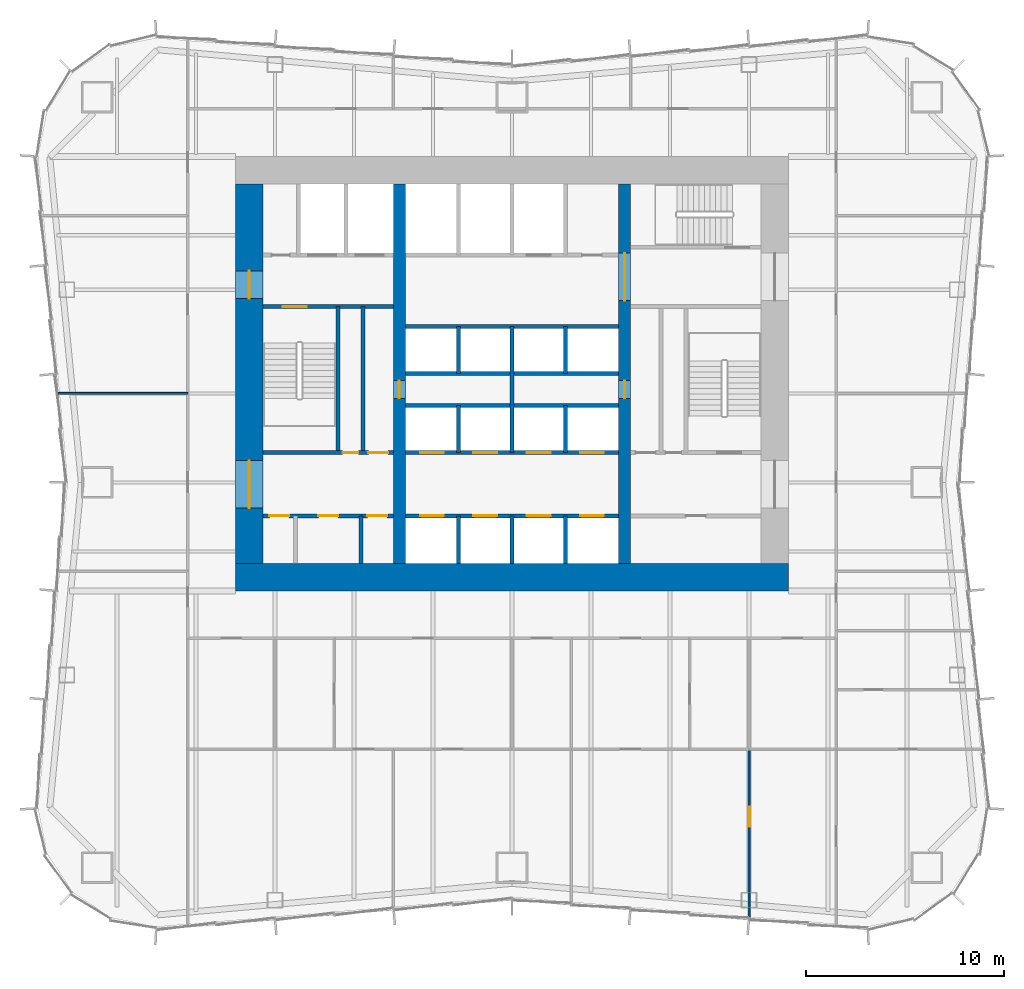
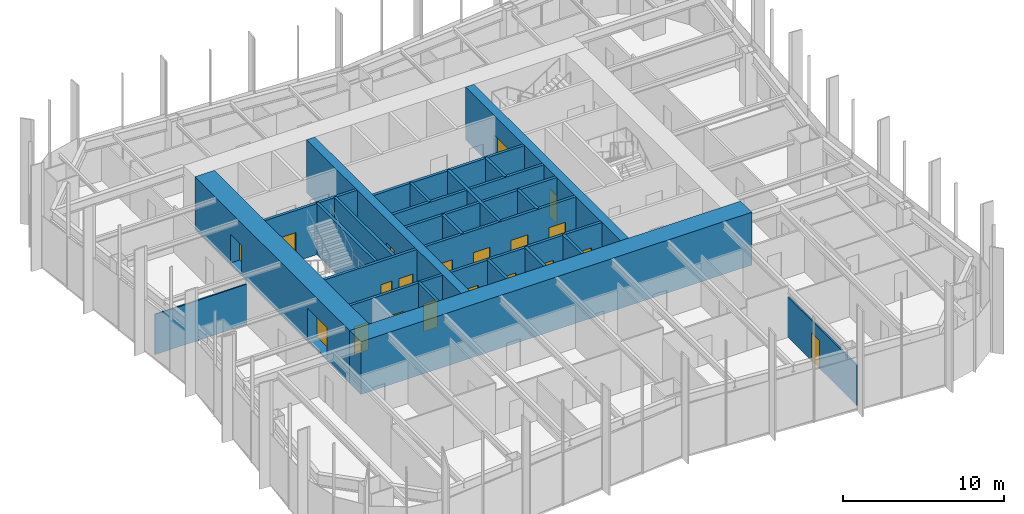
# One storey, part 10 of 13: 25 walls, 20 doors, 20 openings.
"""IFC4 building model written with IfcOpenShell, lengths in metres."""

import ifcopenshell
import ifcopenshell.guid

model = None  # the IFC model being written
_history = None  # IfcOwnerHistory: only IFC2X3 demands one
_inside = {}  # id of a spatial element -> (the spatial element, [elements in it])
_under = {}  # id of a project, library or spatial element -> (it, [spatial elements below it])
_declared = {}  # id of a project -> (the project, [libraries it declares])
_typed = {}  # id of a type object -> (the type object, [elements of that type])
_made_of = {}  # id of a material, layer set ... -> (it, [elements and type objects made of it])


def new_model(schema):
    """Start an empty IFC model of exactly this schema.

    Asked for "IFC4X3", IfcOpenShell would pick the latest addendum, in which some entities
    have other attributes; the version numbers below select the first issue.
    IFC2X3 requires an IfcOwnerHistory on every rooted entity: one is made here for all.
    """
    global model, _history
    if schema == "IFC4X3":
        model = ifcopenshell.file(schema_version=(4, 3, 0, 0))
    else:
        model = ifcopenshell.file(schema=schema)
    _inside.clear()
    _under.clear()
    _declared.clear()
    _typed.clear()
    _made_of.clear()
    _history = None
    if model.schema == "IFC2X3":
        org = make("IfcOrganization", Name="unknown")
        user = make(
            "IfcPersonAndOrganization",
            ThePerson=make("IfcPerson", FamilyName="unknown"),
            TheOrganization=org,
        )
        app = make(
            "IfcApplication",
            ApplicationDeveloper=org,
            Version="unknown",
            ApplicationFullName="unknown",
            ApplicationIdentifier="unknown",
        )
        _history = make(
            "IfcOwnerHistory",
            OwningUser=user,
            OwningApplication=app,
            ChangeAction="ADDED",
            CreationDate=0,
        )
    return model


def make(cls, **values):
    """One entity of the class cls with the attributes given. An attribute that is None is left unset."""
    return model.create_entity(
        cls, **{name: value for name, value in values.items() if value is not None}
    )


def rooted(cls, **values):
    """An entity with a GlobalId (a new one), such as an element, a storey or a relation."""
    return make(cls, GlobalId=ifcopenshell.guid.new(), OwnerHistory=_history, **values)


def si_unit(unit_type, name, prefix=None):
    """IfcSIUnit, for example si_unit("LENGTHUNIT", "METRE", prefix="MILLI")."""
    return make("IfcSIUnit", UnitType=unit_type, Prefix=prefix, Name=name)


def assignment(units):
    """IfcUnitAssignment: the units of a project."""
    return None if units is None else make("IfcUnitAssignment", Units=units)


def point(xyz):
    """IfcCartesianPoint."""
    return None if xyz is None else make("IfcCartesianPoint", Coordinates=xyz)


def direction(xyz):
    """IfcDirection."""
    return None if xyz is None else make("IfcDirection", DirectionRatios=xyz)


def frame(location, z_axis=None, x_axis=None):
    """IfcAxis2Placement3D, a coordinate frame: its origin and axes. An axis left out is left unset."""
    return make(
        "IfcAxis2Placement3D",
        Location=point(location),
        Axis=direction(z_axis),
        RefDirection=direction(x_axis),
    )


def frame_2d(location, x_axis=None):
    """IfcAxis2Placement2D, a coordinate frame in the plane: its origin and x axis."""
    return make(
        "IfcAxis2Placement2D", Location=point(location), RefDirection=direction(x_axis)
    )


def origin():
    """The frame at (0, 0, 0) with its axes left unset."""
    return frame((0.0, 0.0, 0.0))


def place(relative_to, where):
    """IfcLocalPlacement: puts the frame where relative to a parent placement (None: the world)."""
    return make(
        "IfcLocalPlacement", PlacementRelTo=relative_to, RelativePlacement=where
    )


def context(
    kind, dimensions, precision=None, world=None, true_north=None, identifier=None
):
    """IfcGeometricRepresentationContext, for example the 3D "Model" context."""
    return make(
        "IfcGeometricRepresentationContext",
        ContextIdentifier=identifier,
        ContextType=kind,
        CoordinateSpaceDimension=dimensions,
        Precision=precision,
        WorldCoordinateSystem=world,
        TrueNorth=true_north,
    )


def subcontext(parent, identifier, kind, view, scale=None):
    """IfcGeometricRepresentationSubContext, for example "Body" below "Model"."""
    return make(
        "IfcGeometricRepresentationSubContext",
        ContextIdentifier=identifier,
        ContextType=kind,
        ParentContext=parent,
        TargetScale=scale,
        TargetView=view,
    )


def project(units=None, contexts=None):
    """IfcProject with its units and contexts."""
    return rooted(
        "IfcProject",
        Name="project",
        RepresentationContexts=contexts,
        UnitsInContext=assignment(units),
    )


def spatial(cls, under=None, at=None, **own):
    """A site, building, storey or space (cls), placed at a placement, below another one or the project."""
    s = rooted(cls, ObjectPlacement=at, **own)
    if under is not None:
        _under.setdefault(under.id(), (under, []))[1].append(s)
    return s


def profile(cls, at=None, kind="AREA", **sizes):
    """A parametric profile (cls). Its sizes go by their IFC names, for example OverallWidth=200.0."""
    return make(cls, ProfileType=kind, Position=at, **sizes)


def rectangle(**sizes):
    """IfcRectangleProfileDef."""
    return profile("IfcRectangleProfileDef", **sizes)


def extrude(swept, where, along, depth):
    """IfcExtrudedAreaSolid: the profile swept, set in the frame where, extruded along a direction by depth."""
    return make(
        "IfcExtrudedAreaSolid",
        SweptArea=swept,
        Position=where,
        ExtrudedDirection=direction(along),
        Depth=depth,
    )


def shape(context_of_items, identifier, shape_type, items):
    """IfcShapeRepresentation: the items that make up one representation, for example the "Body"."""
    return make(
        "IfcShapeRepresentation",
        ContextOfItems=context_of_items,
        RepresentationIdentifier=identifier,
        RepresentationType=shape_type,
        Items=items,
    )


def material(Name=None, Category=None):
    """IfcMaterial."""
    return make("IfcMaterial", Name=Name, Category=Category)


def layer(
    of_material, thickness, ventilated=None, Name=None, Category=None, Priority=None
):
    """IfcMaterialLayer: one layer of a wall or slab, of a material (None: an air gap)."""
    return make(
        "IfcMaterialLayer",
        Material=of_material,
        LayerThickness=thickness,
        IsVentilated=ventilated,
        Name=Name,
        Category=Category,
        Priority=Priority,
    )


def layer_set(layers, Name=None):
    """IfcMaterialLayerSet."""
    return make("IfcMaterialLayerSet", MaterialLayers=layers, LayerSetName=Name)


def made_of(thing, what):
    """Note that an element or type object is made of a material, layer set ...; save() writes the relation."""
    if what is not None:
        _made_of.setdefault(what.id(), (what, []))[1].append(thing)
    return thing


def type_object(cls, material=None, **own):
    """A type object (cls), such as IfcWallType, which elements share."""
    return made_of(rooted(cls, **own), material)


def element(
    cls,
    number,
    at=None,
    inside=None,
    cuts=None,
    type_object=None,
    material=None,
    context=None,
    identifier="Body",
    shape_type=None,
    held_by="IfcProductDefinitionShape",
    body=None,
    shapes=None,
    **own,
):
    """One element of the class cls, such as IfcWall. Its Tag is "e" and its number.

    at: its placement. inside: the storey or other place that contains it. cuts: it is an
    opening in that element (IfcRelVoidsElement). A single representation is given by context,
    identifier, shape_type and body (its items); several are given by shapes. held_by: the class
    of the entity that holds the representations. save() writes the other relations.
    """
    e = rooted(cls, Tag="e%d" % number, ObjectPlacement=at, **own)
    if body is not None:
        shapes = [shape(context, identifier, shape_type, body)]
    if shapes is not None:
        e.Representation = make(held_by, Representations=shapes)
    if inside is not None:
        _inside.setdefault(inside.id(), (inside, []))[1].append(e)
    if cuts is not None:
        rooted(
            "IfcRelVoidsElement", RelatingBuildingElement=cuts, RelatedOpeningElement=e
        )
    if type_object is not None:
        _typed.setdefault(type_object.id(), (type_object, []))[1].append(e)
    return made_of(e, material)


def fill(opening, filler):
    """IfcRelFillsElement: the door or window that sits in an opening."""
    return rooted(
        "IfcRelFillsElement",
        RelatingOpeningElement=opening,
        RelatedBuildingElement=filler,
    )


def aggregate(whole, parts):
    """IfcRelAggregates: a whole, such as a stair, and the parts it consists of."""
    return rooted("IfcRelAggregates", RelatingObject=whole, RelatedObjects=parts)


def save(model, path):
    """Write the relations noted so far, then the file.

    IfcRelAggregates (storeys below a building ...), IfcRelContainedInSpatialStructure (elements
    in a storey), IfcRelDefinesByType, IfcRelAssociatesMaterial and IfcRelDeclares: one each for
    every whole, place, type object, material and project.
    """
    for whole, parts in _under.values():
        aggregate(whole, parts)
    for where, things in _inside.values():
        rooted(
            "IfcRelContainedInSpatialStructure",
            RelatedElements=things,
            RelatingStructure=where,
        )
    for kind, things in _typed.values():
        rooted("IfcRelDefinesByType", RelatedObjects=things, RelatingType=kind)
    for what, things in _made_of.values():
        rooted("IfcRelAssociatesMaterial", RelatedObjects=things, RelatingMaterial=what)
    for by, libraries in _declared.values():
        rooted("IfcRelDeclares", RelatingContext=by, RelatedDefinitions=libraries)
    model.write(path)


model = new_model("IFC4")

# Units and contexts
model_context = context("Model", 3, precision=1e-05, world=origin(), true_north=direction((0.0, 1.0)))
body_context = subcontext(model_context, "Body", "Model", "MODEL_VIEW")
ifc_project = project(units=[si_unit("LENGTHUNIT", "METRE"), si_unit("AREAUNIT", "SQUARE_METRE"), si_unit("VOLUMEUNIT", "CUBIC_METRE"), si_unit("PLANEANGLEUNIT", "RADIAN"), si_unit("MASSUNIT", "GRAM", prefix="KILO")], contexts=[model_context])

# Site, building, storey
site_placement = place(None, origin())
site = spatial("IfcSite", under=ifc_project, at=site_placement, CompositionType="ELEMENT")
building_placement = place(site_placement, origin())
building = spatial("IfcBuilding", under=site, at=building_placement, Name="Verdant Reach Tower", CompositionType="ELEMENT")
storey_placement = place(building_placement, frame((0.0, 0.0, 50.0)))
storey = spatial("IfcBuildingStorey", under=building, at=storey_placement, Name="L11", CompositionType="ELEMENT", Elevation=50.0)

# Wall, openings, doors
ifc_material_1 = material(Name="Gypsum board on steel studs", Category="steel")
ifc_layer_1 = layer(ifc_material_1, 0.199951171875)
ifc_layer_set_1 = layer_set([ifc_layer_1], Name="CO-WALL-ROOM")
wall_type_1 = type_object("IfcWallType", Name="CO-WALL-ROOM", PredefinedType="PARTITIONING", material=ifc_layer_set_1)
wall_1_placement = place(storey_placement, frame((-12.60009765625, 20.800048828125, 0.0), z_axis=(0.0, 0.0, 1.0), x_axis=(1.0, 0.0, 0.0)))
wall_1 = element("IfcWall", 1, at=wall_1_placement, inside=storey, type_object=wall_type_1, Name="Core partition, L11", PredefinedType="PARTITIONING", context=body_context, shape_type="SweptSolid", body=[
    extrude(rectangle(XDim=6.60009765625, YDim=0.199951171875, at=frame_2d((3.300048828125, 0.0))), origin(), (0.0, 0.0, 1.0), 3.8701171875),
])
opening_1_placement = place(wall_1_placement, frame((0.324951171875, 0.0, 0.0)))
opening_1 = element("IfcOpeningElement", 2, at=opening_1_placement, cuts=wall_1, Name="Opening CD", PredefinedType="OPENING", context=body_context, shape_type="SweptSolid", body=[
    extrude(rectangle(XDim=1.0, YDim=2.10009765625, at=frame_2d((0.5, 1.050048828125))), frame((0.0, 0.10986328125, 0.0), z_axis=(0.0, -1.0, 0.0), x_axis=(1.0, 0.0, 0.0)), (0.0, 0.0, 1.0), 0.219970703125),
])
opening_2_placement = place(wall_1_placement, frame((2.800048828125, 0.0, 0.0)))
opening_2 = element("IfcOpeningElement", 3, at=opening_2_placement, cuts=wall_1, Name="Opening CD", PredefinedType="OPENING", context=body_context, shape_type="SweptSolid", body=[
    extrude(rectangle(XDim=1.0, YDim=2.10009765625, at=frame_2d((0.5, 1.050048828125))), frame((0.0, 0.10986328125, 0.0), z_axis=(0.0, -1.0, 0.0), x_axis=(1.0, 0.0, 0.0)), (0.0, 0.0, 1.0), 0.219970703125),
])
opening_3_placement = place(wall_1_placement, frame((5.27490234375, 0.0, 0.0)))
opening_3 = element("IfcOpeningElement", 4, at=opening_3_placement, cuts=wall_1, Name="Opening CD", PredefinedType="OPENING", context=body_context, shape_type="SweptSolid", body=[
    extrude(rectangle(XDim=1.0, YDim=2.10009765625, at=frame_2d((0.5, 1.050048828125))), frame((0.0, 0.10986328125, 0.0), z_axis=(0.0, -1.0, 0.0), x_axis=(1.0, 0.0, 0.0)), (0.0, 0.0, 1.0), 0.219970703125),
])
ifc_material_2 = material(Name="Timber", Category="wood")
door_type_1 = type_object("IfcDoorType", Name="CO-DOOR-ROOM", OperationType="NOTDEFINED", PredefinedType="DOOR", material=ifc_material_2)
door_1_placement = place(opening_1_placement, origin())
door_1 = element("IfcDoor", 5, at=door_1_placement, inside=storey, type_object=door_type_1, Name="Core room door, L11", OperationType="SINGLE_SWING_RIGHT", OverallHeight=2.10009765625, OverallWidth=1.0, PredefinedType="DOOR", context=body_context, shape_type="SweptSolid", body=[
    extrude(rectangle(XDim=1.0, YDim=2.10009765625, at=frame_2d((0.5, 1.050048828125))), frame((0.0, 0.02490234375, 0.0), z_axis=(0.0, -1.0, 0.0), x_axis=(1.0, 0.0, 0.0)), (0.0, 0.0, 1.0), 0.050048828125),
])
fill(opening_1, door_1)
door_2_placement = place(opening_2_placement, origin())
door_2 = element("IfcDoor", 6, at=door_2_placement, inside=storey, type_object=door_type_1, Name="Core room door, L11", OperationType="SINGLE_SWING_RIGHT", OverallHeight=2.10009765625, OverallWidth=1.0, PredefinedType="DOOR", context=body_context, shape_type="SweptSolid", body=[
    extrude(rectangle(XDim=1.0, YDim=2.10009765625, at=frame_2d((0.5, 1.050048828125))), frame((0.0, 0.02490234375, 0.0), z_axis=(0.0, -1.0, 0.0), x_axis=(1.0, 0.0, 0.0)), (0.0, 0.0, 1.0), 0.050048828125),
])
fill(opening_2, door_2)
door_3_placement = place(opening_3_placement, origin())
door_3 = element("IfcDoor", 7, at=door_3_placement, inside=storey, type_object=door_type_1, Name="Core room door, L11", OperationType="SINGLE_SWING_RIGHT", OverallHeight=2.10009765625, OverallWidth=1.0, PredefinedType="DOOR", context=body_context, shape_type="SweptSolid", body=[
    extrude(rectangle(XDim=1.0, YDim=2.10009765625, at=frame_2d((0.5, 1.050048828125))), frame((0.0, 0.02490234375, 0.0), z_axis=(0.0, -1.0, 0.0), x_axis=(1.0, 0.0, 0.0)), (0.0, 0.0, 1.0), 0.050048828125),
])
fill(opening_3, door_3)

# Walls
wall_2_placement = place(storey_placement, frame((-7.64990234375, 18.39990234375, 0.0), z_axis=(0.0, 0.0, 1.0), x_axis=(0.0, 1.0, 0.0)))
element("IfcWall", 8, at=wall_2_placement, inside=storey, type_object=wall_type_1, Name="Core partition, L11", PredefinedType="PARTITIONING", context=body_context, shape_type="SweptSolid", body=[
    extrude(rectangle(XDim=2.400146484375, YDim=0.199951171875, at=frame_2d((1.2001953125, 0.0))), origin(), (0.0, 0.0, 1.0), 3.8701171875),
])
wall_3_placement = place(storey_placement, frame((-7.5400390625, 24.0, 0.0), z_axis=(0.0, 0.0, 1.0), x_axis=(0.0, 1.0, 0.0)))
element("IfcWall", 9, at=wall_3_placement, inside=storey, type_object=wall_type_1, Name="Core partition, L11", PredefinedType="PARTITIONING", context=body_context, shape_type="SweptSolid", body=[
    extrude(rectangle(XDim=7.39990234375, YDim=0.199951171875, at=frame_2d((3.699951171875, 0.0))), origin(), (0.0, 0.0, 1.0), 3.8701171875),
])

# Wall, openings, doors
ifc_material_3 = material(Name="Concrete C40/50", Category="concrete")
ifc_layer_2 = layer(ifc_material_3, 0.199951171875)
ifc_layer_set_2 = layer_set([ifc_layer_2], Name="CO-WALL-SHAFT")
wall_type_2 = type_object("IfcWallType", Name="CO-WALL-SHAFT", PredefinedType="PARTITIONING", material=ifc_layer_set_2)
wall_4_placement = place(storey_placement, frame((-5.39990234375, 20.800048828125, 0.0), z_axis=(0.0, 0.0, 1.0), x_axis=(1.0, 0.0, 0.0)))
wall_4 = element("IfcWall", 10, at=wall_4_placement, inside=storey, type_object=wall_type_2, Name="Lift shaft wall, L11", PredefinedType="PARTITIONING", context=body_context, shape_type="SweptSolid", body=[
    extrude(rectangle(XDim=10.7998046875, YDim=0.199951171875, at=frame_2d((5.39990234375, 0.0))), origin(), (0.0, 0.0, 1.0), 3.8701171875),
])
opening_4_placement = place(wall_4_placement, frame((0.75, 0.0, 0.0)))
opening_4 = element("IfcOpeningElement", 11, at=opening_4_placement, cuts=wall_4, Name="Opening LD-A1", PredefinedType="OPENING", context=body_context, shape_type="SweptSolid", body=[
    extrude(rectangle(XDim=1.199951171875, YDim=2.199951171875, at=frame_2d((0.60009765625, 1.10009765625))), frame((0.0, 0.10986328125, 0.0), z_axis=(0.0, -1.0, 0.0), x_axis=(1.0, 0.0, 0.0)), (0.0, 0.0, 1.0), 0.219970703125),
])
opening_5_placement = place(wall_4_placement, frame((3.449951171875, 0.0, 0.0)))
opening_5 = element("IfcOpeningElement", 12, at=opening_5_placement, cuts=wall_4, Name="Opening LD-A2", PredefinedType="OPENING", context=body_context, shape_type="SweptSolid", body=[
    extrude(rectangle(XDim=1.199951171875, YDim=2.199951171875, at=frame_2d((0.60009765625, 1.10009765625))), frame((0.0, 0.10986328125, 0.0), z_axis=(0.0, -1.0, 0.0), x_axis=(1.0, 0.0, 0.0)), (0.0, 0.0, 1.0), 0.219970703125),
])
opening_6_placement = place(wall_4_placement, frame((6.14990234375, 0.0, 0.0)))
opening_6 = element("IfcOpeningElement", 13, at=opening_6_placement, cuts=wall_4, Name="Opening LD-A3", PredefinedType="OPENING", context=body_context, shape_type="SweptSolid", body=[
    extrude(rectangle(XDim=1.199951171875, YDim=2.199951171875, at=frame_2d((0.60009765625, 1.10009765625))), frame((0.0, 0.10986328125, 0.0), z_axis=(0.0, -1.0, 0.0), x_axis=(1.0, 0.0, 0.0)), (0.0, 0.0, 1.0), 0.219970703125),
])
opening_7_placement = place(wall_4_placement, frame((8.85009765625, 0.0, 0.0)))
opening_7 = element("IfcOpeningElement", 14, at=opening_7_placement, cuts=wall_4, Name="Opening LD-A4", PredefinedType="OPENING", context=body_context, shape_type="SweptSolid", body=[
    extrude(rectangle(XDim=1.199951171875, YDim=2.199951171875, at=frame_2d((0.60009765625, 1.10009765625))), frame((0.0, 0.10986328125, 0.0), z_axis=(0.0, -1.0, 0.0), x_axis=(1.0, 0.0, 0.0)), (0.0, 0.0, 1.0), 0.219970703125),
])
ifc_material_4 = material(Name="Stainless steel", Category="steel")
door_type_2 = type_object("IfcDoorType", Name="CO-DOOR-LANDING", OperationType="SLIDING_TO_LEFT", PredefinedType="DOOR", material=ifc_material_4)
door_4_placement = place(opening_4_placement, origin())
door_4 = element("IfcDoor", 15, at=door_4_placement, inside=storey, type_object=door_type_2, Name="Landing door A1, L11", OperationType="SLIDING_TO_LEFT", OverallHeight=2.199951171875, OverallWidth=1.199951171875, PredefinedType="DOOR", context=body_context, shape_type="SweptSolid", body=[
    extrude(rectangle(XDim=1.199951171875, YDim=2.199951171875, at=frame_2d((0.60009765625, 1.10009765625))), frame((0.0, 0.02490234375, 0.0), z_axis=(0.0, -1.0, 0.0), x_axis=(1.0, 0.0, 0.0)), (0.0, 0.0, 1.0), 0.050048828125),
])
fill(opening_4, door_4)
door_5_placement = place(opening_5_placement, origin())
door_5 = element("IfcDoor", 16, at=door_5_placement, inside=storey, type_object=door_type_2, Name="Landing door A2, L11", OperationType="SLIDING_TO_LEFT", OverallHeight=2.199951171875, OverallWidth=1.199951171875, PredefinedType="DOOR", context=body_context, shape_type="SweptSolid", body=[
    extrude(rectangle(XDim=1.199951171875, YDim=2.199951171875, at=frame_2d((0.60009765625, 1.10009765625))), frame((0.0, 0.02490234375, 0.0), z_axis=(0.0, -1.0, 0.0), x_axis=(1.0, 0.0, 0.0)), (0.0, 0.0, 1.0), 0.050048828125),
])
fill(opening_5, door_5)
door_6_placement = place(opening_6_placement, origin())
door_6 = element("IfcDoor", 17, at=door_6_placement, inside=storey, type_object=door_type_2, Name="Landing door A3, L11", OperationType="SLIDING_TO_LEFT", OverallHeight=2.199951171875, OverallWidth=1.199951171875, PredefinedType="DOOR", context=body_context, shape_type="SweptSolid", body=[
    extrude(rectangle(XDim=1.199951171875, YDim=2.199951171875, at=frame_2d((0.60009765625, 1.10009765625))), frame((0.0, 0.02490234375, 0.0), z_axis=(0.0, -1.0, 0.0), x_axis=(1.0, 0.0, 0.0)), (0.0, 0.0, 1.0), 0.050048828125),
])
fill(opening_6, door_6)
door_7_placement = place(opening_7_placement, origin())
door_7 = element("IfcDoor", 18, at=door_7_placement, inside=storey, type_object=door_type_2, Name="Landing door A4, L11", OperationType="SLIDING_TO_LEFT", OverallHeight=2.199951171875, OverallWidth=1.199951171875, PredefinedType="DOOR", context=body_context, shape_type="SweptSolid", body=[
    extrude(rectangle(XDim=1.199951171875, YDim=2.199951171875, at=frame_2d((0.60009765625, 1.10009765625))), frame((0.0, 0.02490234375, 0.0), z_axis=(0.0, -1.0, 0.0), x_axis=(1.0, 0.0, 0.0)), (0.0, 0.0, 1.0), 0.050048828125),
])
fill(opening_7, door_7)

wall_5_placement = place(storey_placement, frame((-5.39990234375, 24.0, 0.0), z_axis=(0.0, 0.0, 1.0), x_axis=(1.0, 0.0, 0.0)))
wall_5 = element("IfcWall", 19, at=wall_5_placement, inside=storey, type_object=wall_type_2, Name="Lift shaft wall, L11", PredefinedType="PARTITIONING", context=body_context, shape_type="SweptSolid", body=[
    extrude(rectangle(XDim=10.7998046875, YDim=0.199951171875, at=frame_2d((5.39990234375, 0.0))), origin(), (0.0, 0.0, 1.0), 3.8701171875),
])
opening_8_placement = place(wall_5_placement, frame((0.75, 0.0, 0.0)))
opening_8 = element("IfcOpeningElement", 20, at=opening_8_placement, cuts=wall_5, Name="Opening LD-A5", PredefinedType="OPENING", context=body_context, shape_type="SweptSolid", body=[
    extrude(rectangle(XDim=1.199951171875, YDim=2.199951171875, at=frame_2d((0.60009765625, 1.10009765625))), frame((0.0, 0.10986328125, 0.0), z_axis=(0.0, -1.0, 0.0), x_axis=(1.0, 0.0, 0.0)), (0.0, 0.0, 1.0), 0.219970703125),
])
opening_9_placement = place(wall_5_placement, frame((3.449951171875, 0.0, 0.0)))
opening_9 = element("IfcOpeningElement", 21, at=opening_9_placement, cuts=wall_5, Name="Opening LD-A6", PredefinedType="OPENING", context=body_context, shape_type="SweptSolid", body=[
    extrude(rectangle(XDim=1.199951171875, YDim=2.199951171875, at=frame_2d((0.60009765625, 1.10009765625))), frame((0.0, 0.10986328125, 0.0), z_axis=(0.0, -1.0, 0.0), x_axis=(1.0, 0.0, 0.0)), (0.0, 0.0, 1.0), 0.219970703125),
])
opening_10_placement = place(wall_5_placement, frame((6.14990234375, 0.0, 0.0)))
opening_10 = element("IfcOpeningElement", 22, at=opening_10_placement, cuts=wall_5, Name="Opening LD-A7", PredefinedType="OPENING", context=body_context, shape_type="SweptSolid", body=[
    extrude(rectangle(XDim=1.199951171875, YDim=2.199951171875, at=frame_2d((0.60009765625, 1.10009765625))), frame((0.0, 0.10986328125, 0.0), z_axis=(0.0, -1.0, 0.0), x_axis=(1.0, 0.0, 0.0)), (0.0, 0.0, 1.0), 0.219970703125),
])
opening_11_placement = place(wall_5_placement, frame((8.85009765625, 0.0, 0.0)))
opening_11 = element("IfcOpeningElement", 23, at=opening_11_placement, cuts=wall_5, Name="Opening LD-A8", PredefinedType="OPENING", context=body_context, shape_type="SweptSolid", body=[
    extrude(rectangle(XDim=1.199951171875, YDim=2.199951171875, at=frame_2d((0.60009765625, 1.10009765625))), frame((0.0, 0.10986328125, 0.0), z_axis=(0.0, -1.0, 0.0), x_axis=(1.0, 0.0, 0.0)), (0.0, 0.0, 1.0), 0.219970703125),
])
door_8_placement = place(opening_8_placement, origin())
door_8 = element("IfcDoor", 24, at=door_8_placement, inside=storey, type_object=door_type_2, Name="Landing door A5, L11", OperationType="SLIDING_TO_LEFT", OverallHeight=2.199951171875, OverallWidth=1.199951171875, PredefinedType="DOOR", context=body_context, shape_type="SweptSolid", body=[
    extrude(rectangle(XDim=1.199951171875, YDim=2.199951171875, at=frame_2d((0.60009765625, 1.10009765625))), frame((0.0, 0.02490234375, 0.0), z_axis=(0.0, -1.0, 0.0), x_axis=(1.0, 0.0, 0.0)), (0.0, 0.0, 1.0), 0.050048828125),
])
fill(opening_8, door_8)
door_9_placement = place(opening_9_placement, origin())
door_9 = element("IfcDoor", 25, at=door_9_placement, inside=storey, type_object=door_type_2, Name="Landing door A6, L11", OperationType="SLIDING_TO_LEFT", OverallHeight=2.199951171875, OverallWidth=1.199951171875, PredefinedType="DOOR", context=body_context, shape_type="SweptSolid", body=[
    extrude(rectangle(XDim=1.199951171875, YDim=2.199951171875, at=frame_2d((0.60009765625, 1.10009765625))), frame((0.0, 0.02490234375, 0.0), z_axis=(0.0, -1.0, 0.0), x_axis=(1.0, 0.0, 0.0)), (0.0, 0.0, 1.0), 0.050048828125),
])
fill(opening_9, door_9)
door_10_placement = place(opening_10_placement, origin())
door_10 = element("IfcDoor", 26, at=door_10_placement, inside=storey, type_object=door_type_2, Name="Landing door A7, L11", OperationType="SLIDING_TO_LEFT", OverallHeight=2.199951171875, OverallWidth=1.199951171875, PredefinedType="DOOR", context=body_context, shape_type="SweptSolid", body=[
    extrude(rectangle(XDim=1.199951171875, YDim=2.199951171875, at=frame_2d((0.60009765625, 1.10009765625))), frame((0.0, 0.02490234375, 0.0), z_axis=(0.0, -1.0, 0.0), x_axis=(1.0, 0.0, 0.0)), (0.0, 0.0, 1.0), 0.050048828125),
])
fill(opening_10, door_10)
door_11_placement = place(opening_11_placement, origin())
door_11 = element("IfcDoor", 27, at=door_11_placement, inside=storey, type_object=door_type_2, Name="Landing door A8, L11", OperationType="SLIDING_TO_LEFT", OverallHeight=2.199951171875, OverallWidth=1.199951171875, PredefinedType="DOOR", context=body_context, shape_type="SweptSolid", body=[
    extrude(rectangle(XDim=1.199951171875, YDim=2.199951171875, at=frame_2d((0.60009765625, 1.10009765625))), frame((0.0, 0.02490234375, 0.0), z_axis=(0.0, -1.0, 0.0), x_axis=(1.0, 0.0, 0.0)), (0.0, 0.0, 1.0), 0.050048828125),
])
fill(opening_11, door_11)

# Walls
for number, where, z_axis, x_axis, name in (
    (28, (-5.39990234375, 26.39990234375, 0.0), (0.0, 0.0, 1.0), (1.0, 0.0, 0.0), "Lift shaft wall, L11"),
    (29, (-5.39990234375, 28.0, 0.0), (0.0, 0.0, 1.0), (1.0, 0.0, 0.0), "Lift shaft wall, L11"),
    (30, (-5.39990234375, 30.39990234375, 0.0), (0.0, 0.0, 1.0), (1.0, 0.0, 0.0), "Lift shaft wall, L11"),
):
    element("IfcWall", number, at=place(storey_placement, frame(where, z_axis=z_axis, x_axis=x_axis)), inside=storey, type_object=wall_type_2, Name=name, PredefinedType="PARTITIONING", context=body_context, shape_type="SweptSolid", body=[
        extrude(rectangle(XDim=10.7998046875, YDim=0.199951171875, at=frame_2d((5.39990234375, 0.0))), origin(), (0.0, 0.0, 1.0), 3.8701171875),
    ])
wall_6_placement = place(storey_placement, frame((-2.699951171875, 18.39990234375, 0.0), z_axis=(0.0, 0.0, 1.0), x_axis=(0.0, 1.0, 0.0)))
element("IfcWall", 31, at=wall_6_placement, inside=storey, type_object=wall_type_2, Name="Lift shaft wall, L11", PredefinedType="PARTITIONING", context=body_context, shape_type="SweptSolid", body=[
    extrude(rectangle(XDim=2.400146484375, YDim=0.199951171875, at=frame_2d((1.2001953125, 0.0))), origin(), (0.0, 0.0, 1.0), 3.8701171875),
])
for number, where, z_axis, x_axis, name in (
    (32, (-2.699951171875, 24.0, 0.0), (0.0, 0.0, 1.0), (0.0, 1.0, 0.0), "Lift shaft wall, L11"),
    (33, (-2.699951171875, 28.0, 0.0), (0.0, 0.0, 1.0), (0.0, 1.0, 0.0), "Lift shaft wall, L11"),
):
    element("IfcWall", number, at=place(storey_placement, frame(where, z_axis=z_axis, x_axis=x_axis)), inside=storey, type_object=wall_type_2, Name=name, PredefinedType="PARTITIONING", context=body_context, shape_type="SweptSolid", body=[
        extrude(rectangle(XDim=2.39990234375, YDim=0.199951171875, at=frame_2d((1.199951171875, 0.0))), origin(), (0.0, 0.0, 1.0), 3.8701171875),
    ])
wall_7_placement = place(storey_placement, frame((0.0, 18.39990234375, 0.0), z_axis=(0.0, 0.0, 1.0), x_axis=(0.0, 1.0, 0.0)))
element("IfcWall", 34, at=wall_7_placement, inside=storey, type_object=wall_type_2, Name="Lift shaft wall, L11", PredefinedType="PARTITIONING", context=body_context, shape_type="SweptSolid", body=[
    extrude(rectangle(XDim=2.400146484375, YDim=0.199951171875, at=frame_2d((1.2001953125, 0.0))), origin(), (0.0, 0.0, 1.0), 3.8701171875),
])
wall_8_placement = place(storey_placement, frame((0.0, 24.0, 0.0), z_axis=(0.0, 0.0, 1.0), x_axis=(0.0, 1.0, 0.0)))
element("IfcWall", 35, at=wall_8_placement, inside=storey, type_object=wall_type_2, Name="Lift shaft wall, L11", PredefinedType="PARTITIONING", context=body_context, shape_type="SweptSolid", body=[
    extrude(rectangle(XDim=6.39990234375, YDim=0.199951171875, at=frame_2d((3.199951171875, 0.0))), origin(), (0.0, 0.0, 1.0), 3.8701171875),
])
wall_9_placement = place(storey_placement, frame((2.699951171875, 18.39990234375, 0.0), z_axis=(0.0, 0.0, 1.0), x_axis=(0.0, 1.0, 0.0)))
element("IfcWall", 36, at=wall_9_placement, inside=storey, type_object=wall_type_2, Name="Lift shaft wall, L11", PredefinedType="PARTITIONING", context=body_context, shape_type="SweptSolid", body=[
    extrude(rectangle(XDim=2.400146484375, YDim=0.199951171875, at=frame_2d((1.2001953125, 0.0))), origin(), (0.0, 0.0, 1.0), 3.8701171875),
])
for number, where, z_axis, x_axis, name in (
    (37, (2.699951171875, 24.0, 0.0), (0.0, 0.0, 1.0), (0.0, 1.0, 0.0), "Lift shaft wall, L11"),
    (38, (2.699951171875, 28.0, 0.0), (0.0, 0.0, 1.0), (0.0, 1.0, 0.0), "Lift shaft wall, L11"),
):
    element("IfcWall", number, at=place(storey_placement, frame(where, z_axis=z_axis, x_axis=x_axis)), inside=storey, type_object=wall_type_2, Name=name, PredefinedType="PARTITIONING", context=body_context, shape_type="SweptSolid", body=[
        extrude(rectangle(XDim=2.39990234375, YDim=0.199951171875, at=frame_2d((1.199951171875, 0.0))), origin(), (0.0, 0.0, 1.0), 3.8701171875),
    ])

# Wall, openings, doors
ifc_layer_3 = layer(ifc_material_3, 0.199951171875)
ifc_layer_set_3 = layer_set([ifc_layer_3], Name="CO-WALL-STAIR")
wall_type_3 = type_object("IfcWallType", Name="CO-WALL-STAIR", PredefinedType="PARTITIONING", material=ifc_layer_set_3)
wall_10_placement = place(storey_placement, frame((-12.60009765625, 24.0, 0.0), z_axis=(0.0, 0.0, 1.0), x_axis=(1.0, 0.0, 0.0)))
wall_10 = element("IfcWall", 39, at=wall_10_placement, inside=storey, type_object=wall_type_3, Name="Stair enclosure wall, L11", PredefinedType="PARTITIONING", context=body_context, shape_type="SweptSolid", body=[
    extrude(rectangle(XDim=6.60009765625, YDim=0.199951171875, at=frame_2d((3.300048828125, 0.0))), origin(), (0.0, 0.0, 1.0), 3.8701171875),
])
opening_12_placement = place(wall_10_placement, frame((4.030029296875, 0.0, 0.0)))
opening_12 = element("IfcOpeningElement", 40, at=opening_12_placement, cuts=wall_10, Name="Opening CDN", PredefinedType="OPENING", context=body_context, shape_type="SweptSolid", body=[
    extrude(rectangle(XDim=0.800048828125, YDim=2.10009765625, at=frame_2d((0.39990234375, 1.050048828125))), frame((0.0, 0.10986328125, 0.0), z_axis=(0.0, -1.0, 0.0), x_axis=(1.0, 0.0, 0.0)), (0.0, 0.0, 1.0), 0.219970703125),
])
opening_13_placement = place(wall_10_placement, frame((5.330078125, 0.0, 0.0)))
opening_13 = element("IfcOpeningElement", 41, at=opening_13_placement, cuts=wall_10, Name="Opening CD", PredefinedType="OPENING", context=body_context, shape_type="SweptSolid", body=[
    extrude(rectangle(XDim=1.0, YDim=2.10009765625, at=frame_2d((0.5, 1.050048828125))), frame((0.0, 0.10986328125, 0.0), z_axis=(0.0, -1.0, 0.0), x_axis=(1.0, 0.0, 0.0)), (0.0, 0.0, 1.0), 0.219970703125),
])
door_12_placement = place(opening_13_placement, origin())
door_12 = element("IfcDoor", 42, at=door_12_placement, inside=storey, type_object=door_type_1, Name="Core room door, L11", OperationType="SINGLE_SWING_LEFT", OverallHeight=2.10009765625, OverallWidth=1.0, PredefinedType="DOOR", context=body_context, shape_type="SweptSolid", body=[
    extrude(rectangle(XDim=1.0, YDim=2.10009765625, at=frame_2d((0.5, 1.050048828125))), frame((0.0, 0.02490234375, 0.0), z_axis=(0.0, -1.0, 0.0), x_axis=(1.0, 0.0, 0.0)), (0.0, 0.0, 1.0), 0.050048828125),
])
fill(opening_13, door_12)
door_type_3 = type_object("IfcDoorType", Name="CO-DOOR-ROOM-NARROW", OperationType="NOTDEFINED", PredefinedType="DOOR", material=ifc_material_2)
door_13_placement = place(opening_12_placement, origin())
door_13 = element("IfcDoor", 43, at=door_13_placement, inside=storey, type_object=door_type_3, Name="Core room door, L11", OperationType="SINGLE_SWING_RIGHT", OverallHeight=2.10009765625, OverallWidth=0.800048828125, PredefinedType="DOOR", context=body_context, shape_type="SweptSolid", body=[
    extrude(rectangle(XDim=0.800048828125, YDim=2.10009765625, at=frame_2d((0.39990234375, 1.050048828125))), frame((0.0, 0.02490234375, 0.0), z_axis=(0.0, -1.0, 0.0), x_axis=(1.0, 0.0, 0.0)), (0.0, 0.0, 1.0), 0.050048828125),
])
fill(opening_12, door_13)

# Wall, opening, door
wall_11_placement = place(storey_placement, frame((-12.60009765625, 31.39990234375, 0.0), z_axis=(0.0, 0.0, 1.0), x_axis=(1.0, 0.0, 0.0)))
wall_11 = element("IfcWall", 44, at=wall_11_placement, inside=storey, type_object=wall_type_3, Name="Stair enclosure wall, L11", PredefinedType="PARTITIONING", context=body_context, shape_type="SweptSolid", body=[
    extrude(rectangle(XDim=6.60009765625, YDim=0.199951171875, at=frame_2d((3.300048828125, 0.0))), origin(), (0.0, 0.0, 1.0), 3.8701171875),
])
opening_14_placement = place(wall_11_placement, frame((1.0, 0.0, 0.0)))
opening_14 = element("IfcOpeningElement", 45, at=opening_14_placement, cuts=wall_11, Name="Opening SD", PredefinedType="OPENING", context=body_context, shape_type="SweptSolid", body=[
    extrude(rectangle(XDim=1.199951171875, YDim=2.199951171875, at=frame_2d((0.60009765625, 1.10009765625))), frame((0.0, 0.10986328125, 0.0), z_axis=(0.0, -1.0, 0.0), x_axis=(1.0, 0.0, 0.0)), (0.0, 0.0, 1.0), 0.219970703125),
])
ifc_material_5 = material(Name="Steel", Category="steel")
door_type_4 = type_object("IfcDoorType", Name="CO-DOOR-STAIR", OperationType="NOTDEFINED", PredefinedType="DOOR", material=ifc_material_5)
door_14_placement = place(opening_14_placement, origin())
door_14 = element("IfcDoor", 46, at=door_14_placement, inside=storey, type_object=door_type_4, Name="Stair door, L11", OperationType="SINGLE_SWING_LEFT", OverallHeight=2.199951171875, OverallWidth=1.199951171875, PredefinedType="DOOR", context=body_context, shape_type="SweptSolid", body=[
    extrude(rectangle(XDim=1.199951171875, YDim=2.199951171875, at=frame_2d((0.60009765625, 1.10009765625))), frame((0.0, 0.02490234375, 0.0), z_axis=(0.0, -1.0, 0.0), x_axis=(1.0, 0.0, 0.0)), (0.0, 0.0, 1.0), 0.050048828125),
])
fill(opening_14, door_14)

# Wall
wall_12_placement = place(storey_placement, frame((-8.800048828125, 24.0, 0.0), z_axis=(0.0, 0.0, 1.0), x_axis=(0.0, 1.0, 0.0)))
element("IfcWall", 47, at=wall_12_placement, inside=storey, type_object=wall_type_3, Name="Stair enclosure wall, L11", PredefinedType="PARTITIONING", context=body_context, shape_type="SweptSolid", body=[
    extrude(rectangle(XDim=7.39990234375, YDim=0.199951171875, at=frame_2d((3.699951171875, 0.0))), origin(), (0.0, 0.0, 1.0), 3.8701171875),
])

# Wall, opening, door
ifc_layer_4 = layer(ifc_material_1, 0.10009765625)
ifc_layer_set_4 = layer_set([ifc_layer_4], Name="FL-W1 Partition 100")
wall_type_4 = type_object("IfcWallType", Name="FL-W1 Partition 100", PredefinedType="PARTITIONING", material=ifc_layer_set_4)
wall_13_placement = place(storey_placement, frame((12.0, 9.0, 0.0), z_axis=(0.0, 0.0, 1.0), x_axis=(0.0, -1.0, 0.0)))
wall_13 = element("IfcWall", 48, at=wall_13_placement, inside=storey, type_object=wall_type_4, Name="Partition 11.40", PredefinedType="PARTITIONING", context=body_context, shape_type="SweptSolid", body=[
    extrude(rectangle(XDim=8.580078125, YDim=0.10009765625, at=frame_2d((4.2900390625, 0.0))), origin(), (0.0, 0.0, 1.0), 3.0400390625),
])
opening_15_placement = place(wall_13_placement, frame((2.9248046875, 0.0, 0.0)))
opening_15 = element("IfcOpeningElement", 49, at=opening_15_placement, cuts=wall_13, Name="Opening D3", PredefinedType="OPENING", context=body_context, shape_type="SweptSolid", body=[
    extrude(rectangle(XDim=1.0, YDim=2.10009765625, at=frame_2d((0.5, 1.050048828125))), frame((0.0, 0.06005859375, 0.0), z_axis=(0.0, -1.0, 0.0), x_axis=(1.0, 0.0, 0.0)), (0.0, 0.0, 1.0), 0.1201171875),
])
ifc_material_6 = material(Name="Painted timber door leaf", Category="wood")
door_type_5 = type_object("IfcDoorType", Name="FL-D3 Door 1000x2100", OperationType="NOTDEFINED", PredefinedType="DOOR", material=ifc_material_6)
door_15_placement = place(opening_15_placement, origin())
door_15 = element("IfcDoor", 50, at=door_15_placement, inside=storey, type_object=door_type_5, Name="Door 11-022", OperationType="SINGLE_SWING_LEFT", OverallHeight=2.10009765625, OverallWidth=1.0, PredefinedType="DOOR", context=body_context, shape_type="SweptSolid", body=[
    extrude(rectangle(XDim=1.0, YDim=2.10009765625, at=frame_2d((0.5, 1.050048828125))), frame((0.0, 0.02490234375, 0.0), z_axis=(0.0, -1.0, 0.0), x_axis=(1.0, 0.0, 0.0)), (0.0, 0.0, 1.0), 0.050048828125),
])
fill(opening_15, door_15)

# Walls
wall_14_placement = place(storey_placement, frame((-16.39990234375, 27.0, 0.0), z_axis=(0.0, 0.0, 1.0), x_axis=(-1.0, 0.0, 0.0)))
element("IfcWall", 51, at=wall_14_placement, inside=storey, type_object=wall_type_4, Name="Partition 11.47", PredefinedType="PARTITIONING", context=body_context, shape_type="SweptSolid", body=[
    extrude(rectangle(XDim=6.589111328125, YDim=0.10009765625, at=frame_2d((3.29443359375, 0.0))), origin(), (0.0, 0.0, 1.0), 3.0400390625),
])
ifc_material_7 = material(Name="Concrete C70/85", Category="concrete")
ifc_layer_5 = layer(ifc_material_7, 1.39990234375)
ifc_layer_set_5 = layer_set([ifc_layer_5], Name="ST-CORE-WALL-1400")
wall_type_5 = type_object("IfcWallType", Name="ST-CORE-WALL-1400", PredefinedType="SHEAR", material=ifc_layer_set_5)
wall_15_placement = place(storey_placement, frame((-14.0, 17.699951171875, -0.1298828125), z_axis=(0.0, 0.0, 1.0), x_axis=(1.0, 0.0, 0.0)))
element("IfcWall", 52, at=wall_15_placement, inside=storey, type_object=wall_type_5, Name="Core wall S, L11", PredefinedType="SHEAR", context=body_context, shape_type="SweptSolid", body=[
    extrude(rectangle(XDim=28.0, YDim=1.39990234375, at=frame_2d((14.0, 0.0))), origin(), (0.0, 0.0, 1.0), 4.0),
])

# Wall, openings, doors
wall_16_placement = place(storey_placement, frame((-13.300048828125, 18.39990234375, -0.1298828125), z_axis=(0.0, 0.0, 1.0), x_axis=(0.0, 1.0, 0.0)))
wall_16 = element("IfcWall", 53, at=wall_16_placement, inside=storey, type_object=wall_type_5, Name="Core wall W, L11", PredefinedType="SHEAR", context=body_context, shape_type="SweptSolid", body=[
    extrude(rectangle(XDim=19.2001953125, YDim=1.39990234375, at=frame_2d((9.60009765625, 0.0))), origin(), (0.0, 0.0, 1.0), 4.0),
])
opening_16_placement = place(wall_16_placement, frame((2.800048828125, 0.0, 0.1298828125)))
opening_16 = element("IfcOpeningElement", 54, at=opening_16_placement, cuts=wall_16, Name="Opening LB", PredefinedType="OPENING", context=body_context, shape_type="SweptSolid", body=[
    extrude(rectangle(XDim=2.39990234375, YDim=2.39990234375, at=frame_2d((1.199951171875, 1.199951171875))), frame((0.0, 0.7099609375, 0.0), z_axis=(0.0, -1.0, 0.0), x_axis=(1.0, 0.0, 0.0)), (0.0, 0.0, 1.0), 1.419921875),
])
opening_17_placement = place(wall_16_placement, frame((13.39990234375, 0.0, 0.1298828125)))
opening_17 = element("IfcOpeningElement", 55, at=opening_17_placement, cuts=wall_16, Name="Opening FL", PredefinedType="OPENING", context=body_context, shape_type="SweptSolid", body=[
    extrude(rectangle(XDim=1.39990234375, YDim=2.199951171875, at=frame_2d((0.699951171875, 1.10009765625))), frame((0.0, 0.7099609375, 0.0), z_axis=(0.0, -1.0, 0.0), x_axis=(1.0, 0.0, 0.0)), (0.0, 0.0, 1.0), 1.419921875),
])
door_type_6 = type_object("IfcDoorType", Name="CO-DOOR-FFL", OperationType="NOTDEFINED", PredefinedType="DOOR", material=ifc_material_5)
door_16_placement = place(opening_17_placement, origin())
door_16 = element("IfcDoor", 56, at=door_16_placement, inside=storey, type_object=door_type_6, Name="Core entrance door, L11", OperationType="SINGLE_SWING_LEFT", OverallHeight=2.199951171875, OverallWidth=1.39990234375, PredefinedType="DOOR", context=body_context, shape_type="SweptSolid", body=[
    extrude(rectangle(XDim=1.39990234375, YDim=2.199951171875, at=frame_2d((0.699951171875, 1.10009765625))), frame((0.0, 0.02490234375, 0.0), z_axis=(0.0, -1.0, 0.0), x_axis=(1.0, 0.0, 0.0)), (0.0, 0.0, 1.0), 0.050048828125),
])
fill(opening_17, door_16)
ifc_material_8 = material(Name="Glass and steel", Category="steel")
door_type_7 = type_object("IfcDoorType", Name="CO-DOOR-LOBBY", OperationType="DOUBLE_DOOR_SINGLE_SWING", PredefinedType="DOOR", material=ifc_material_8)
door_17_placement = place(opening_16_placement, origin())
door_17 = element("IfcDoor", 57, at=door_17_placement, inside=storey, type_object=door_type_7, Name="Core entrance door, L11", OperationType="DOUBLE_DOOR_SINGLE_SWING", OverallHeight=2.39990234375, OverallWidth=2.39990234375, PredefinedType="DOOR", context=body_context, shape_type="SweptSolid", body=[
    extrude(rectangle(XDim=2.39990234375, YDim=2.39990234375, at=frame_2d((1.199951171875, 1.199951171875))), frame((0.0, 0.02490234375, 0.0), z_axis=(0.0, -1.0, 0.0), x_axis=(1.0, 0.0, 0.0)), (0.0, 0.0, 1.0), 0.050048828125),
])
fill(opening_16, door_17)

# Wall, opening, door
ifc_layer_6 = layer(ifc_material_7, 0.60009765625)
ifc_layer_set_6 = layer_set([ifc_layer_6], Name="ST-CORE-WALL-600")
wall_type_6 = type_object("IfcWallType", Name="ST-CORE-WALL-600", PredefinedType="SHEAR", material=ifc_layer_set_6)
wall_17_placement = place(storey_placement, frame((-5.699951171875, 18.39990234375, -0.1298828125), z_axis=(0.0, 0.0, 1.0), x_axis=(0.0, 1.0, 0.0)))
wall_17 = element("IfcWall", 58, at=wall_17_placement, inside=storey, type_object=wall_type_6, Name="Core wall XW, L11", PredefinedType="SHEAR", context=body_context, shape_type="SweptSolid", body=[
    extrude(rectangle(XDim=19.2001953125, YDim=0.60009765625, at=frame_2d((9.60009765625, 0.0))), origin(), (0.0, 0.0, 1.0), 4.0),
])
opening_18_placement = place(wall_17_placement, frame((8.35009765625, 0.0, 0.1298828125)))
opening_18 = element("IfcOpeningElement", 59, at=opening_18_placement, cuts=wall_17, Name="Opening RD", PredefinedType="OPENING", context=body_context, shape_type="SweptSolid", body=[
    extrude(rectangle(XDim=0.89990234375, YDim=2.10009765625, at=frame_2d((0.449951171875, 1.050048828125))), frame((0.0, 0.31005859375, 0.0), z_axis=(0.0, -1.0, 0.0), x_axis=(1.0, 0.0, 0.0)), (0.0, 0.0, 1.0), 0.6201171875),
])
door_type_8 = type_object("IfcDoorType", Name="CO-DOOR-RISER", OperationType="NOTDEFINED", PredefinedType="DOOR", material=ifc_material_5)
door_18_placement = place(opening_18_placement, origin())
door_18 = element("IfcDoor", 60, at=door_18_placement, inside=storey, type_object=door_type_8, Name="Riser door, L11", OperationType="SINGLE_SWING_RIGHT", OverallHeight=2.10009765625, OverallWidth=0.89990234375, PredefinedType="DOOR", context=body_context, shape_type="SweptSolid", body=[
    extrude(rectangle(XDim=0.89990234375, YDim=2.10009765625, at=frame_2d((0.449951171875, 1.050048828125))), frame((0.0, 0.02490234375, 0.0), z_axis=(0.0, -1.0, 0.0), x_axis=(1.0, 0.0, 0.0)), (0.0, 0.0, 1.0), 0.050048828125),
])
fill(opening_18, door_18)

# Wall, openings, doors
wall_18_placement = place(storey_placement, frame((5.699951171875, 18.39990234375, -0.1298828125), z_axis=(0.0, 0.0, 1.0), x_axis=(0.0, 1.0, 0.0)))
wall_18 = element("IfcWall", 61, at=wall_18_placement, inside=storey, type_object=wall_type_6, Name="Core wall XE, L11", PredefinedType="SHEAR", context=body_context, shape_type="SweptSolid", body=[
    extrude(rectangle(XDim=19.2001953125, YDim=0.60009765625, at=frame_2d((9.60009765625, 0.0))), origin(), (0.0, 0.0, 1.0), 4.0),
])
opening_19_placement = place(wall_18_placement, frame((8.35009765625, 0.0, 0.1298828125)))
opening_19 = element("IfcOpeningElement", 62, at=opening_19_placement, cuts=wall_18, Name="Opening RD", PredefinedType="OPENING", context=body_context, shape_type="SweptSolid", body=[
    extrude(rectangle(XDim=0.89990234375, YDim=2.10009765625, at=frame_2d((0.449951171875, 1.050048828125))), frame((0.0, 0.31005859375, 0.0), z_axis=(0.0, -1.0, 0.0), x_axis=(1.0, 0.0, 0.0)), (0.0, 0.0, 1.0), 0.6201171875),
])
opening_20_placement = place(wall_18_placement, frame((13.300048828125, 0.0, 0.1298828125)))
opening_20 = element("IfcOpeningElement", 63, at=opening_20_placement, cuts=wall_18, Name="Opening LB", PredefinedType="OPENING", context=body_context, shape_type="SweptSolid", body=[
    extrude(rectangle(XDim=2.39990234375, YDim=2.39990234375, at=frame_2d((1.199951171875, 1.199951171875))), frame((0.0, 0.31005859375, 0.0), z_axis=(0.0, -1.0, 0.0), x_axis=(1.0, 0.0, 0.0)), (0.0, 0.0, 1.0), 0.6201171875),
])
door_19_placement = place(opening_20_placement, origin())
door_19 = element("IfcDoor", 64, at=door_19_placement, inside=storey, type_object=door_type_7, Name="Core entrance door, L11", OperationType="DOUBLE_DOOR_SINGLE_SWING", OverallHeight=2.39990234375, OverallWidth=2.39990234375, PredefinedType="DOOR", context=body_context, shape_type="SweptSolid", body=[
    extrude(rectangle(XDim=2.39990234375, YDim=2.39990234375, at=frame_2d((1.199951171875, 1.199951171875))), frame((0.0, 0.02490234375, 0.0), z_axis=(0.0, -1.0, 0.0), x_axis=(1.0, 0.0, 0.0)), (0.0, 0.0, 1.0), 0.050048828125),
])
fill(opening_20, door_19)
door_20_placement = place(opening_19_placement, origin())
door_20 = element("IfcDoor", 65, at=door_20_placement, inside=storey, type_object=door_type_8, Name="Riser door, L11", OperationType="SINGLE_SWING_LEFT", OverallHeight=2.10009765625, OverallWidth=0.89990234375, PredefinedType="DOOR", context=body_context, shape_type="SweptSolid", body=[
    extrude(rectangle(XDim=0.89990234375, YDim=2.10009765625, at=frame_2d((0.449951171875, 1.050048828125))), frame((0.0, 0.02490234375, 0.0), z_axis=(0.0, -1.0, 0.0), x_axis=(1.0, 0.0, 0.0)), (0.0, 0.0, 1.0), 0.050048828125),
])
fill(opening_19, door_20)

save(model, "model.ifc")
